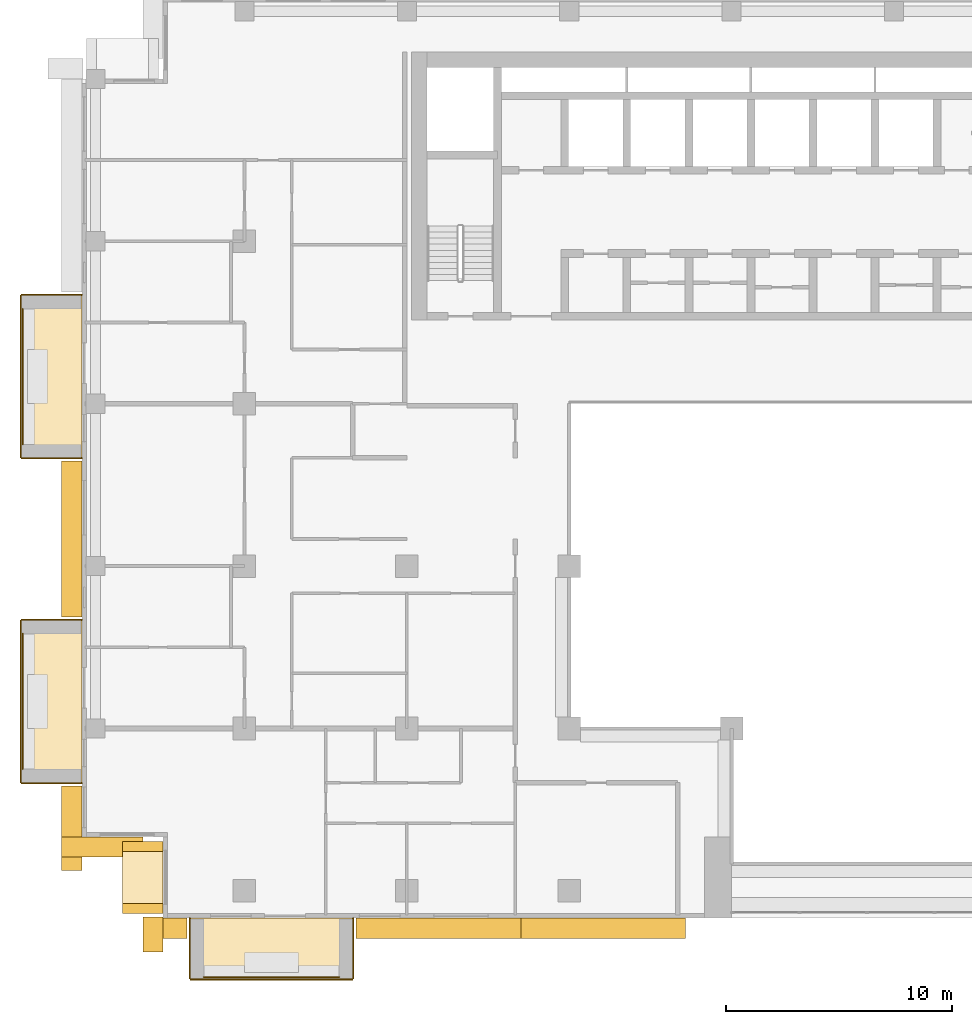
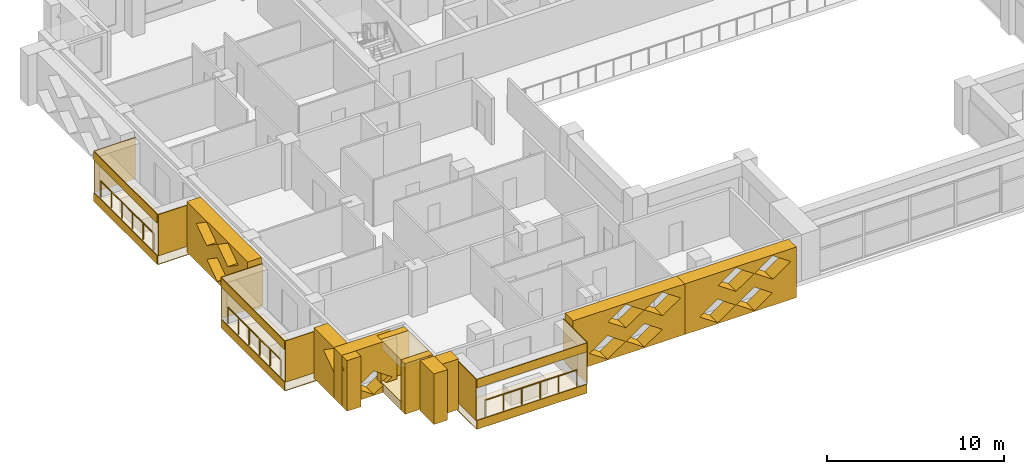
# One storey, part 14 of 20: 26 coverings, 3 railings.
"""IFC4 building model written with IfcOpenShell, lengths in metres."""

import ifcopenshell
import ifcopenshell.guid

model = None  # the IFC model being written
_history = None  # IfcOwnerHistory: only IFC2X3 demands one
_inside = {}  # id of a spatial element -> (the spatial element, [elements in it])
_under = {}  # id of a project, library or spatial element -> (it, [spatial elements below it])
_declared = {}  # id of a project -> (the project, [libraries it declares])
_typed = {}  # id of a type object -> (the type object, [elements of that type])
_made_of = {}  # id of a material, layer set ... -> (it, [elements and type objects made of it])


def new_model(schema):
    """Start an empty IFC model of exactly this schema.

    Asked for "IFC4X3", IfcOpenShell would pick the latest addendum, in which some entities
    have other attributes; the version numbers below select the first issue.
    IFC2X3 requires an IfcOwnerHistory on every rooted entity: one is made here for all.
    """
    global model, _history
    if schema == "IFC4X3":
        model = ifcopenshell.file(schema_version=(4, 3, 0, 0))
    else:
        model = ifcopenshell.file(schema=schema)
    _inside.clear()
    _under.clear()
    _declared.clear()
    _typed.clear()
    _made_of.clear()
    _history = None
    if model.schema == "IFC2X3":
        org = make("IfcOrganization", Name="unknown")
        user = make(
            "IfcPersonAndOrganization",
            ThePerson=make("IfcPerson", FamilyName="unknown"),
            TheOrganization=org,
        )
        app = make(
            "IfcApplication",
            ApplicationDeveloper=org,
            Version="unknown",
            ApplicationFullName="unknown",
            ApplicationIdentifier="unknown",
        )
        _history = make(
            "IfcOwnerHistory",
            OwningUser=user,
            OwningApplication=app,
            ChangeAction="ADDED",
            CreationDate=0,
        )
    return model


def make(cls, **values):
    """One entity of the class cls with the attributes given. An attribute that is None is left unset."""
    return model.create_entity(
        cls, **{name: value for name, value in values.items() if value is not None}
    )


def rooted(cls, **values):
    """An entity with a GlobalId (a new one), such as an element, a storey or a relation."""
    return make(cls, GlobalId=ifcopenshell.guid.new(), OwnerHistory=_history, **values)


def si_unit(unit_type, name, prefix=None):
    """IfcSIUnit, for example si_unit("LENGTHUNIT", "METRE", prefix="MILLI")."""
    return make("IfcSIUnit", UnitType=unit_type, Prefix=prefix, Name=name)


def assignment(units):
    """IfcUnitAssignment: the units of a project."""
    return None if units is None else make("IfcUnitAssignment", Units=units)


def point(xyz):
    """IfcCartesianPoint."""
    return None if xyz is None else make("IfcCartesianPoint", Coordinates=xyz)


def direction(xyz):
    """IfcDirection."""
    return None if xyz is None else make("IfcDirection", DirectionRatios=xyz)


def frame(location, z_axis=None, x_axis=None):
    """IfcAxis2Placement3D, a coordinate frame: its origin and axes. An axis left out is left unset."""
    return make(
        "IfcAxis2Placement3D",
        Location=point(location),
        Axis=direction(z_axis),
        RefDirection=direction(x_axis),
    )


def frame_2d(location, x_axis=None):
    """IfcAxis2Placement2D, a coordinate frame in the plane: its origin and x axis."""
    return make(
        "IfcAxis2Placement2D", Location=point(location), RefDirection=direction(x_axis)
    )


def origin():
    """The frame at (0, 0, 0) with its axes left unset."""
    return frame((0.0, 0.0, 0.0))


def origin_2d():
    """The frame at (0, 0) in the plane with its x axis left unset."""
    return frame_2d((0.0, 0.0))


def place(relative_to, where):
    """IfcLocalPlacement: puts the frame where relative to a parent placement (None: the world)."""
    return make(
        "IfcLocalPlacement", PlacementRelTo=relative_to, RelativePlacement=where
    )


def context(
    kind, dimensions, precision=None, world=None, true_north=None, identifier=None
):
    """IfcGeometricRepresentationContext, for example the 3D "Model" context."""
    return make(
        "IfcGeometricRepresentationContext",
        ContextIdentifier=identifier,
        ContextType=kind,
        CoordinateSpaceDimension=dimensions,
        Precision=precision,
        WorldCoordinateSystem=world,
        TrueNorth=true_north,
    )


def subcontext(parent, identifier, kind, view, scale=None):
    """IfcGeometricRepresentationSubContext, for example "Body" below "Model"."""
    return make(
        "IfcGeometricRepresentationSubContext",
        ContextIdentifier=identifier,
        ContextType=kind,
        ParentContext=parent,
        TargetScale=scale,
        TargetView=view,
    )


def project(units=None, contexts=None):
    """IfcProject with its units and contexts."""
    return rooted(
        "IfcProject",
        Name="project",
        RepresentationContexts=contexts,
        UnitsInContext=assignment(units),
    )


def spatial(cls, under=None, at=None, **own):
    """A site, building, storey or space (cls), placed at a placement, below another one or the project."""
    s = rooted(cls, ObjectPlacement=at, **own)
    if under is not None:
        _under.setdefault(under.id(), (under, []))[1].append(s)
    return s


def polyline(points):
    """IfcPolyline through the points."""
    return make("IfcPolyline", Points=[point(p) for p in points])


def profile(cls, at=None, kind="AREA", **sizes):
    """A parametric profile (cls). Its sizes go by their IFC names, for example OverallWidth=200.0."""
    return make(cls, ProfileType=kind, Position=at, **sizes)


def circle(**sizes):
    """IfcCircleProfileDef."""
    return profile("IfcCircleProfileDef", **sizes)


def outline(outer, holes=None, kind="AREA"):
    """IfcArbitraryClosedProfileDef: a profile drawn as a closed curve; with holes, ...WithVoids."""
    if holes is None:
        return make("IfcArbitraryClosedProfileDef", ProfileType=kind, OuterCurve=outer)
    return make(
        "IfcArbitraryProfileDefWithVoids",
        ProfileType=kind,
        OuterCurve=outer,
        InnerCurves=holes,
    )


def extrude(swept, where, along, depth):
    """IfcExtrudedAreaSolid: the profile swept, set in the frame where, extruded along a direction by depth."""
    return make(
        "IfcExtrudedAreaSolid",
        SweptArea=swept,
        Position=where,
        ExtrudedDirection=direction(along),
        Depth=depth,
    )


def shape(context_of_items, identifier, shape_type, items):
    """IfcShapeRepresentation: the items that make up one representation, for example the "Body"."""
    return make(
        "IfcShapeRepresentation",
        ContextOfItems=context_of_items,
        RepresentationIdentifier=identifier,
        RepresentationType=shape_type,
        Items=items,
    )


def material(Name=None, Category=None):
    """IfcMaterial."""
    return make("IfcMaterial", Name=Name, Category=Category)


def layer(
    of_material, thickness, ventilated=None, Name=None, Category=None, Priority=None
):
    """IfcMaterialLayer: one layer of a wall or slab, of a material (None: an air gap)."""
    return make(
        "IfcMaterialLayer",
        Material=of_material,
        LayerThickness=thickness,
        IsVentilated=ventilated,
        Name=Name,
        Category=Category,
        Priority=Priority,
    )


def layer_set(layers, Name=None):
    """IfcMaterialLayerSet."""
    return make("IfcMaterialLayerSet", MaterialLayers=layers, LayerSetName=Name)


def made_of(thing, what):
    """Note that an element or type object is made of a material, layer set ...; save() writes the relation."""
    if what is not None:
        _made_of.setdefault(what.id(), (what, []))[1].append(thing)
    return thing


def type_object(cls, material=None, **own):
    """A type object (cls), such as IfcWallType, which elements share."""
    return made_of(rooted(cls, **own), material)


def element(
    cls,
    number,
    at=None,
    inside=None,
    cuts=None,
    type_object=None,
    material=None,
    context=None,
    identifier="Body",
    shape_type=None,
    held_by="IfcProductDefinitionShape",
    body=None,
    shapes=None,
    **own,
):
    """One element of the class cls, such as IfcWall. Its Tag is "e" and its number.

    at: its placement. inside: the storey or other place that contains it. cuts: it is an
    opening in that element (IfcRelVoidsElement). A single representation is given by context,
    identifier, shape_type and body (its items); several are given by shapes. held_by: the class
    of the entity that holds the representations. save() writes the other relations.
    """
    e = rooted(cls, Tag="e%d" % number, ObjectPlacement=at, **own)
    if body is not None:
        shapes = [shape(context, identifier, shape_type, body)]
    if shapes is not None:
        e.Representation = make(held_by, Representations=shapes)
    if inside is not None:
        _inside.setdefault(inside.id(), (inside, []))[1].append(e)
    if cuts is not None:
        rooted(
            "IfcRelVoidsElement", RelatingBuildingElement=cuts, RelatedOpeningElement=e
        )
    if type_object is not None:
        _typed.setdefault(type_object.id(), (type_object, []))[1].append(e)
    return made_of(e, material)


def aggregate(whole, parts):
    """IfcRelAggregates: a whole, such as a stair, and the parts it consists of."""
    return rooted("IfcRelAggregates", RelatingObject=whole, RelatedObjects=parts)


def save(model, path):
    """Write the relations noted so far, then the file.

    IfcRelAggregates (storeys below a building ...), IfcRelContainedInSpatialStructure (elements
    in a storey), IfcRelDefinesByType, IfcRelAssociatesMaterial and IfcRelDeclares: one each for
    every whole, place, type object, material and project.
    """
    for whole, parts in _under.values():
        aggregate(whole, parts)
    for where, things in _inside.values():
        rooted(
            "IfcRelContainedInSpatialStructure",
            RelatedElements=things,
            RelatingStructure=where,
        )
    for kind, things in _typed.values():
        rooted("IfcRelDefinesByType", RelatedObjects=things, RelatingType=kind)
    for what, things in _made_of.values():
        rooted("IfcRelAssociatesMaterial", RelatedObjects=things, RelatingMaterial=what)
    for by, libraries in _declared.values():
        rooted("IfcRelDeclares", RelatingContext=by, RelatedDefinitions=libraries)
    model.write(path)


model = new_model("IFC4")

# Units and contexts
model_context = context("Model", 3, precision=1e-05, world=origin(), true_north=direction((0.0, 1.0)))
body_context = subcontext(model_context, "Body", "Model", "MODEL_VIEW")
ifc_project = project(units=[si_unit("LENGTHUNIT", "METRE"), si_unit("AREAUNIT", "SQUARE_METRE"), si_unit("VOLUMEUNIT", "CUBIC_METRE"), si_unit("PLANEANGLEUNIT", "RADIAN"), si_unit("MASSUNIT", "GRAM", prefix="KILO")], contexts=[model_context])

# Site, building, storey
site_placement = place(None, origin())
site = spatial("IfcSite", under=ifc_project, at=site_placement, CompositionType="ELEMENT")
building_placement = place(site_placement, origin())
building = spatial("IfcBuilding", under=site, at=building_placement, Name="Saffron Iwan Residences", CompositionType="ELEMENT")
storey_placement = place(building_placement, frame((0.0, 0.0, 171.0)))
storey = spatial("IfcBuildingStorey", under=building, at=storey_placement, Name="L45", CompositionType="ELEMENT", Elevation=171.0)

# Railings
ifc_material_1 = material(Name="Stainless steel 316", Category="steel")
railing_type = type_object("IfcRailingType", Name="BALCONY GUARD 1150", PredefinedType="GUARDRAIL", material=ifc_material_1)
for number, where, name in (
    (1, (11.77490234375, 66.60009765625, 0.0), "Balcony guard L45 F8-0"),
    (2, (11.77490234375, 52.199951171875, 0.0), "Balcony guard L45 F8-1"),
):
    element("IfcRailing", number, at=place(storey_placement, frame(where)), inside=storey, type_object=railing_type, Name=name, PredefinedType="GUARDRAIL", context=body_context, shape_type="SweptSolid", body=[
        extrude(circle(Radius=0.02392578125, at=origin_2d()), frame((0.0, 0.0, 1.1259765625), z_axis=(0.0, -1.0, 0.0), x_axis=(1.0, 0.0, 0.0)), (0.0, 0.0, 1.0), 6.0),
        extrude(circle(Radius=0.02099609375, at=origin_2d()), origin(), (0.0, 0.0, 1.0), 1.101806640625),
        extrude(circle(Radius=0.02099609375, at=origin_2d()), frame((0.0, -1.199951171875, 0.0)), (0.0, 0.0, 1.0), 1.101806640625),
        extrude(circle(Radius=0.02099609375, at=origin_2d()), frame((0.0, -2.39990234375, 0.0)), (0.0, 0.0, 1.0), 1.101806640625),
        extrude(circle(Radius=0.02099609375, at=origin_2d()), frame((0.0, -3.60009765625, 0.0)), (0.0, 0.0, 1.0), 1.101806640625),
        extrude(circle(Radius=0.02099609375, at=origin_2d()), frame((0.0, -4.800048828125, 0.0)), (0.0, 0.0, 1.0), 1.101806640625),
        extrude(circle(Radius=0.02099609375, at=origin_2d()), frame((0.0, -6.0, 0.0)), (0.0, 0.0, 1.0), 1.101806640625),
    ])
railing_placement = place(storey_placement, frame((19.800048828125, 36.97509765625, 0.0)))
element("IfcRailing", 3, at=railing_placement, inside=storey, type_object=railing_type, Name="Balcony guard L45 11-0", PredefinedType="GUARDRAIL", context=body_context, shape_type="SweptSolid", body=[
    extrude(circle(Radius=0.02392578125, at=origin_2d()), frame((0.0, 0.0, 1.1259765625), z_axis=(1.0, 0.0, 0.0), x_axis=(0.0, 1.0, 0.0)), (0.0, 0.0, 1.0), 6.0),
    extrude(circle(Radius=0.02099609375, at=origin_2d()), origin(), (0.0, 0.0, 1.0), 1.101806640625),
    extrude(circle(Radius=0.02099609375, at=origin_2d()), frame((1.199951171875, 0.0, 0.0)), (0.0, 0.0, 1.0), 1.101806640625),
    extrude(circle(Radius=0.02099609375, at=origin_2d()), frame((2.39990234375, 0.0, 0.0)), (0.0, 0.0, 1.0), 1.101806640625),
    extrude(circle(Radius=0.02099609375, at=origin_2d()), frame((3.60009765625, 0.0, 0.0)), (0.0, 0.0, 1.0), 1.101806640625),
    extrude(circle(Radius=0.02099609375, at=origin_2d()), frame((4.800048828125, 0.0, 0.0)), (0.0, 0.0, 1.0), 1.101806640625),
    extrude(circle(Radius=0.02099609375, at=origin_2d()), frame((6.0, 0.0, 0.0)), (0.0, 0.0, 1.0), 1.101806640625),
])

# Coverings
ifc_material_2 = material(Name="Precast concrete C40/50 white painted", Category="concrete")
ifc_layer = layer(ifc_material_2, 0.050048828125)
ifc_layer_set = layer_set([ifc_layer], Name="Precast concrete C40/50 white painted")
covering_type_1 = type_object("IfcCoveringType", Name="FRAME SKIN PRECAST WHITE 50", PredefinedType="CLADDING", material=ifc_layer_set)
for number, where, name in (
    (4, (0.0, 0.0, -0.60009765625), "Frame skin slab edge L45 F8-0"),
    (5, (0.0, 0.0, 2.25), "Frame skin fascia L45 F8-0"),
):
    element("IfcCovering", number, at=place(storey_placement, frame(where)), inside=storey, type_object=covering_type_1, Name=name, PredefinedType="CLADDING", context=body_context, shape_type="SweptSolid", body=[
        extrude(outline(polyline([(11.64990234375, 67.199951171875), (11.64990234375, 60.0), (11.699951171875, 60.0), (11.699951171875, 67.199951171875), (11.64990234375, 67.199951171875)])), origin(), (0.0, 0.0, 1.0), 0.60009765625),
    ])
covering_1_placement = place(storey_placement, frame((0.0, 0.0, -0.64990234375)))
element("IfcCovering", 6, at=covering_1_placement, inside=storey, type_object=covering_type_1, Name="Frame skin soffit L45 F8-0", PredefinedType="CLADDING", context=body_context, shape_type="SweptSolid", body=[
    extrude(outline(polyline([(11.699951171875, 67.199951171875), (11.699951171875, 60.0), (14.39990234375, 60.0), (14.39990234375, 67.199951171875), (11.699951171875, 67.199951171875)])), origin(), (0.0, 0.0, 1.0), 0.0498046875),
])
covering_2_placement = place(storey_placement, origin())
element("IfcCovering", 7, at=covering_2_placement, inside=storey, type_object=covering_type_1, Name="Frame skin fin L45 F8-0a", PredefinedType="CLADDING", context=body_context, shape_type="SweptSolid", body=[
    extrude(outline(polyline([(11.699951171875, 67.25), (11.699951171875, 67.199951171875), (14.39990234375, 67.199951171875), (14.39990234375, 67.25), (11.699951171875, 67.25)])), origin(), (0.0, 0.0, 1.0), 2.85009765625),
])
covering_3_placement = place(storey_placement, origin())
element("IfcCovering", 8, at=covering_3_placement, inside=storey, type_object=covering_type_1, Name="Frame skin fin L45 F8-0b", PredefinedType="CLADDING", context=body_context, shape_type="SweptSolid", body=[
    extrude(outline(polyline([(11.699951171875, 60.0), (11.699951171875, 59.949951171875), (14.39990234375, 59.949951171875), (14.39990234375, 60.0), (11.699951171875, 60.0)])), origin(), (0.0, 0.0, 1.0), 2.85009765625),
])
for number, where, name in (
    (9, (0.0, 0.0, -0.60009765625), "Frame skin slab edge L45 F8-1"),
    (10, (0.0, 0.0, 2.25), "Frame skin fascia L45 F8-1"),
):
    element("IfcCovering", number, at=place(storey_placement, frame(where)), inside=storey, type_object=covering_type_1, Name=name, PredefinedType="CLADDING", context=body_context, shape_type="SweptSolid", body=[
        extrude(outline(polyline([(11.64990234375, 52.800048828125), (11.64990234375, 45.60009765625), (11.699951171875, 45.60009765625), (11.699951171875, 52.800048828125), (11.64990234375, 52.800048828125)])), origin(), (0.0, 0.0, 1.0), 0.60009765625),
    ])
covering_4_placement = place(storey_placement, frame((0.0, 0.0, -0.64990234375)))
element("IfcCovering", 11, at=covering_4_placement, inside=storey, type_object=covering_type_1, Name="Frame skin soffit L45 F8-1", PredefinedType="CLADDING", context=body_context, shape_type="SweptSolid", body=[
    extrude(outline(polyline([(11.699951171875, 52.800048828125), (11.699951171875, 45.60009765625), (14.39990234375, 45.60009765625), (14.39990234375, 52.800048828125), (11.699951171875, 52.800048828125)])), origin(), (0.0, 0.0, 1.0), 0.0498046875),
])
covering_5_placement = place(storey_placement, origin())
element("IfcCovering", 12, at=covering_5_placement, inside=storey, type_object=covering_type_1, Name="Frame skin fin L45 F8-1a", PredefinedType="CLADDING", context=body_context, shape_type="SweptSolid", body=[
    extrude(outline(polyline([(11.699951171875, 52.85009765625), (11.699951171875, 52.800048828125), (14.39990234375, 52.800048828125), (14.39990234375, 52.85009765625), (11.699951171875, 52.85009765625)])), origin(), (0.0, 0.0, 1.0), 2.85009765625),
])
covering_6_placement = place(storey_placement, origin())
element("IfcCovering", 13, at=covering_6_placement, inside=storey, type_object=covering_type_1, Name="Frame skin fin L45 F8-1b", PredefinedType="CLADDING", context=body_context, shape_type="SweptSolid", body=[
    extrude(outline(polyline([(11.699951171875, 45.60009765625), (11.699951171875, 45.550048828125), (14.39990234375, 45.550048828125), (14.39990234375, 45.60009765625), (11.699951171875, 45.60009765625)])), origin(), (0.0, 0.0, 1.0), 2.85009765625),
])
for number, where, name in (
    (14, (0.0, 0.0, -0.60009765625), "Frame skin slab edge L45 11-0"),
    (15, (0.0, 0.0, 2.25), "Frame skin fascia L45 11-0"),
):
    element("IfcCovering", number, at=place(storey_placement, frame(where)), inside=storey, type_object=covering_type_1, Name=name, PredefinedType="CLADDING", context=body_context, shape_type="SweptSolid", body=[
        extrude(outline(polyline([(19.199951171875, 36.85009765625), (26.39990234375, 36.85009765625), (26.39990234375, 36.89990234375), (19.199951171875, 36.89990234375), (19.199951171875, 36.85009765625)])), origin(), (0.0, 0.0, 1.0), 0.60009765625),
    ])
covering_7_placement = place(storey_placement, frame((0.0, 0.0, -0.64990234375)))
element("IfcCovering", 16, at=covering_7_placement, inside=storey, type_object=covering_type_1, Name="Frame skin soffit L45 11-0", PredefinedType="CLADDING", context=body_context, shape_type="SweptSolid", body=[
    extrude(outline(polyline([(19.199951171875, 36.89990234375), (26.39990234375, 36.89990234375), (26.39990234375, 39.60009765625), (19.199951171875, 39.60009765625), (19.199951171875, 36.89990234375)])), origin(), (0.0, 0.0, 1.0), 0.0498046875),
])
covering_8_placement = place(storey_placement, origin())
element("IfcCovering", 17, at=covering_8_placement, inside=storey, type_object=covering_type_1, Name="Frame skin fin L45 11-0a", PredefinedType="CLADDING", context=body_context, shape_type="SweptSolid", body=[
    extrude(outline(polyline([(19.14990234375, 36.89990234375), (19.199951171875, 36.89990234375), (19.199951171875, 39.60009765625), (19.14990234375, 39.60009765625), (19.14990234375, 36.89990234375)])), origin(), (0.0, 0.0, 1.0), 2.85009765625),
])
covering_9_placement = place(storey_placement, origin())
element("IfcCovering", 18, at=covering_9_placement, inside=storey, type_object=covering_type_1, Name="Frame skin fin L45 11-0b", PredefinedType="CLADDING", context=body_context, shape_type="SweptSolid", body=[
    extrude(outline(polyline([(26.39990234375, 36.89990234375), (26.449951171875, 36.89990234375), (26.449951171875, 39.60009765625), (26.39990234375, 39.60009765625), (26.39990234375, 36.89990234375)])), origin(), (0.0, 0.0, 1.0), 2.85009765625),
])
ifc_material_3 = material(Name="Precast concrete C40/50", Category="concrete")
covering_type_2 = type_object("IfcCoveringType", Name="OUTER SKIN LATTICE SCREEN", PredefinedType="CLADDING", material=ifc_material_3)
covering_10_placement = place(storey_placement, frame((14.39990234375, 59.85009765625, -0.300048828125), z_axis=(-1.0, 0.0, 0.0), x_axis=(0.0, -1.0, 0.0)))
element("IfcCovering", 19, at=covering_10_placement, inside=storey, type_object=covering_type_2, Name="OUTER SKIN lattice screen L45 F8.1", PredefinedType="CLADDING", context=body_context, shape_type="SweptSolid", body=[
    extrude(outline(polyline([(0.0, 0.0), (6.89990234375, 0.0), (6.89990234375, 3.5), (0.0, 3.5), (0.0, 0.0)]), holes=[polyline([(2.27001953125, 0.875), (3.449951171875, 0.06005859375), (4.6298828125, 0.875), (3.449951171875, 1.68994140625), (2.27001953125, 0.875)]), polyline([(1.070068359375, 2.625), (2.25, 1.81005859375), (3.429931640625, 2.625), (2.25, 3.43994140625), (1.070068359375, 2.625)]), polyline([(3.469970703125, 2.625), (4.64990234375, 1.81005859375), (5.830078125, 2.625), (4.64990234375, 3.43994140625), (3.469970703125, 2.625)])]), origin(), (0.0, 0.0, 1.0), 0.89990234375),
])
covering_11_placement = place(storey_placement, frame((14.39990234375, 45.449951171875, -0.300048828125), z_axis=(-1.0, 0.0, 0.0), x_axis=(0.0, -1.0, 0.0)))
element("IfcCovering", 20, at=covering_11_placement, inside=storey, type_object=covering_type_2, Name="OUTER SKIN lattice screen L45 F8.2", PredefinedType="CLADDING", context=body_context, shape_type="SweptSolid", body=[
    extrude(outline(polyline([(0.0, 0.0), (3.75, 0.0), (3.75, 3.5), (0.0, 3.5), (0.0, 0.0)]), holes=[polyline([(1.070068359375, 2.625), (2.25, 1.81005859375), (3.429931640625, 2.625), (2.25, 3.43994140625), (1.070068359375, 2.625)])]), origin(), (0.0, 0.0, 1.0), 0.89990234375),
])
covering_12_placement = place(storey_placement, frame((13.5, 43.199951171875, -0.300048828125), z_axis=(0.0, -1.0, 0.0), x_axis=(1.0, 0.0, 0.0)))
element("IfcCovering", 21, at=covering_12_placement, inside=storey, type_object=covering_type_2, Name="OUTER SKIN lattice screen L45 F9.0", PredefinedType="CLADDING", context=body_context, shape_type="SweptSolid", body=[
    extrude(outline(polyline([(0.0, 0.0), (3.60009765625, 0.0), (3.60009765625, 3.5), (0.0, 3.5), (0.0, 0.0)]), holes=[polyline([(0.919921875, 0.875), (2.10009765625, 0.06005859375), (3.280029296875, 0.875), (2.10009765625, 1.68994140625), (0.919921875, 0.875)])]), origin(), (0.0, 0.0, 1.0), 0.89990234375),
])
covering_13_placement = place(storey_placement, frame((18.0, 39.64990234375, -0.300048828125), z_axis=(-1.0, 0.0, 0.0), x_axis=(0.0, -1.0, 0.0)))
element("IfcCovering", 22, at=covering_13_placement, inside=storey, type_object=covering_type_2, Name="OUTER SKIN lattice screen L45 F10.0", PredefinedType="CLADDING", context=body_context, shape_type="SweptSolid", body=[
    extrude(outline(polyline([(0.0, 0.0), (1.550048828125, 0.0), (1.550048828125, 3.5), (0.0, 3.5), (0.0, 0.0)])), origin(), (0.0, 0.0, 1.0), 0.89990234375),
])
covering_14_placement = place(storey_placement, frame((17.10009765625, 39.60009765625, -0.300048828125), z_axis=(0.0, -1.0, 0.0), x_axis=(1.0, 0.0, 0.0)))
element("IfcCovering", 23, at=covering_14_placement, inside=storey, type_object=covering_type_2, Name="OUTER SKIN lattice screen L45 F11.0", PredefinedType="CLADDING", context=body_context, shape_type="SweptSolid", body=[
    extrude(outline(polyline([(0.0, 0.0), (1.949951171875, 0.0), (1.949951171875, 3.5), (0.0, 3.5), (0.0, 0.0)])), origin(), (0.0, 0.0, 1.0), 0.900146484375),
])
covering_15_placement = place(storey_placement, frame((26.550048828125, 39.60009765625, -0.300048828125), z_axis=(0.0, -1.0, 0.0), x_axis=(1.0, 0.0, 0.0)))
element("IfcCovering", 24, at=covering_15_placement, inside=storey, type_object=covering_type_2, Name="OUTER SKIN lattice screen L45 F11.1", PredefinedType="CLADDING", context=body_context, shape_type="SweptSolid", body=[
    extrude(outline(polyline([(0.0, 0.0), (7.300048828125, 0.0), (7.300048828125, 3.5), (0.0, 3.5), (0.0, 0.0)]), holes=[polyline([(1.070068359375, 0.875), (2.25, 0.06005859375), (3.429931640625, 0.875), (2.25, 1.68994140625), (1.070068359375, 0.875)]), polyline([(3.469970703125, 0.875), (4.64990234375, 0.06005859375), (5.830078125, 0.875), (4.64990234375, 1.68994140625), (3.469970703125, 0.875)]), polyline([(2.27001953125, 2.625), (3.449951171875, 1.81005859375), (4.6298828125, 2.625), (3.449951171875, 3.43994140625), (2.27001953125, 2.625)]), polyline([(4.669921875, 2.625), (5.85009765625, 1.81005859375), (7.030029296875, 2.625), (5.85009765625, 3.43994140625), (4.669921875, 2.625)])]), origin(), (0.0, 0.0, 1.0), 0.900146484375),
])
covering_16_placement = place(storey_placement, frame((33.85009765625, 39.60009765625, -0.300048828125), z_axis=(0.0, -1.0, 0.0), x_axis=(1.0, 0.0, 0.0)))
element("IfcCovering", 25, at=covering_16_placement, inside=storey, type_object=covering_type_2, Name="OUTER SKIN lattice screen L45 F11.2", PredefinedType="CLADDING", context=body_context, shape_type="SweptSolid", body=[
    extrude(outline(polyline([(0.0, 0.0), (7.300048828125, 0.0), (7.300048828125, 3.5), (0.0, 3.5), (0.0, 0.0)]), holes=[polyline([(0.969970703125, 0.875), (2.14990234375, 0.06005859375), (3.330078125, 0.875), (2.14990234375, 1.68994140625), (0.969970703125, 0.875)]), polyline([(3.3701171875, 0.875), (4.550048828125, 0.06005859375), (5.72998046875, 0.875), (4.550048828125, 1.68994140625), (3.3701171875, 0.875)]), polyline([(2.169921875, 2.625), (3.35009765625, 1.81005859375), (4.530029296875, 2.625), (3.35009765625, 3.43994140625), (2.169921875, 2.625)]), polyline([(4.570068359375, 2.625), (5.75, 1.81005859375), (6.929931640625, 2.625), (5.75, 3.43994140625), (4.570068359375, 2.625)])]), origin(), (0.0, 0.0, 1.0), 0.900146484375),
])
covering_type_3 = type_object("IfcCoveringType", Name="WHITE SUN FRAME PRECAST", PredefinedType="CLADDING", material=ifc_material_2)
for number, where, z_axis, x_axis, name in (
    (26, (18.0, 43.0, -0.300048828125), (-1.0, 0.0, 0.0), (0.0, -1.0, 0.0), "Sun frame L45 F10 0.2a"),
    (27, (18.0, 40.25, -0.300048828125), (-1.0, 0.0, 0.0), (0.0, -1.0, 0.0), "Sun frame L45 F10 0.2b"),
):
    element("IfcCovering", number, at=place(storey_placement, frame(where, z_axis=z_axis, x_axis=x_axis)), inside=storey, type_object=covering_type_3, Name=name, PredefinedType="CLADDING", context=body_context, shape_type="SweptSolid", body=[
        extrude(outline(polyline([(0.0, 0.0), (0.449951171875, 0.0), (0.449951171875, 3.5), (0.0, 3.5), (0.0, 0.0)])), origin(), (0.0, 0.0, 1.0), 1.800048828125),
    ])
for number, where, z_axis, x_axis, name in (
    (28, (18.0, 42.550048828125, 2.60009765625), (-1.0, 0.0, 0.0), (0.0, -1.0, 0.0), "Sun frame L45 F10 0.2h"),
    (29, (18.0, 42.550048828125, -0.300048828125), (-1.0, 0.0, 0.0), (0.0, -1.0, 0.0), "Sun frame L45 F10 0.2s"),
):
    element("IfcCovering", number, at=place(storey_placement, frame(where, z_axis=z_axis, x_axis=x_axis)), inside=storey, type_object=covering_type_3, Name=name, PredefinedType="CLADDING", context=body_context, shape_type="SweptSolid", body=[
        extrude(outline(polyline([(0.0, 0.0), (2.300048828125, 0.0), (2.300048828125, 0.60009765625), (0.0, 0.60009765625), (0.0, 0.0)])), origin(), (0.0, 0.0, 1.0), 1.800048828125),
    ])

save(model, "model.ifc")
